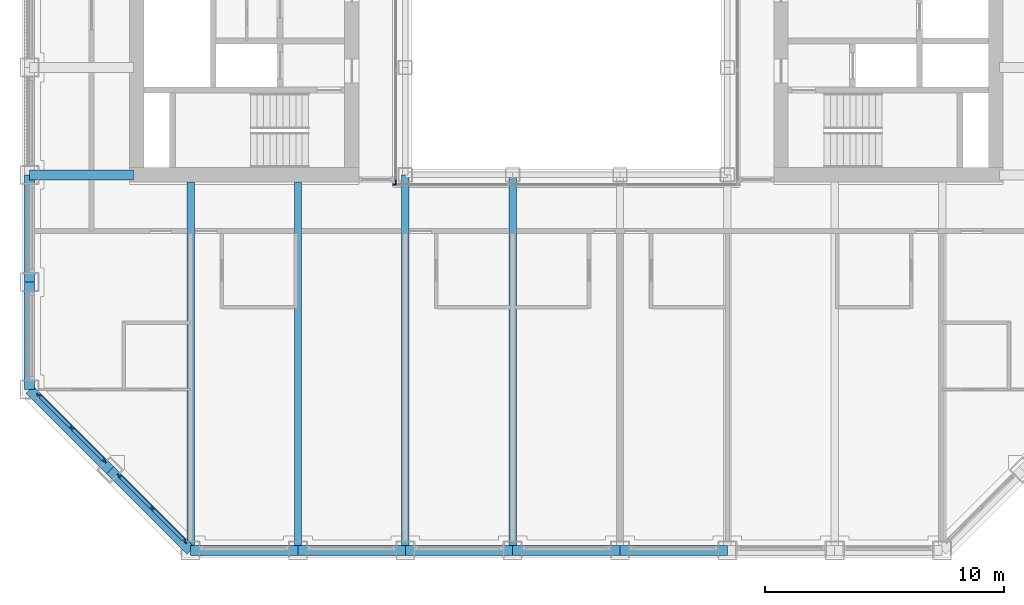
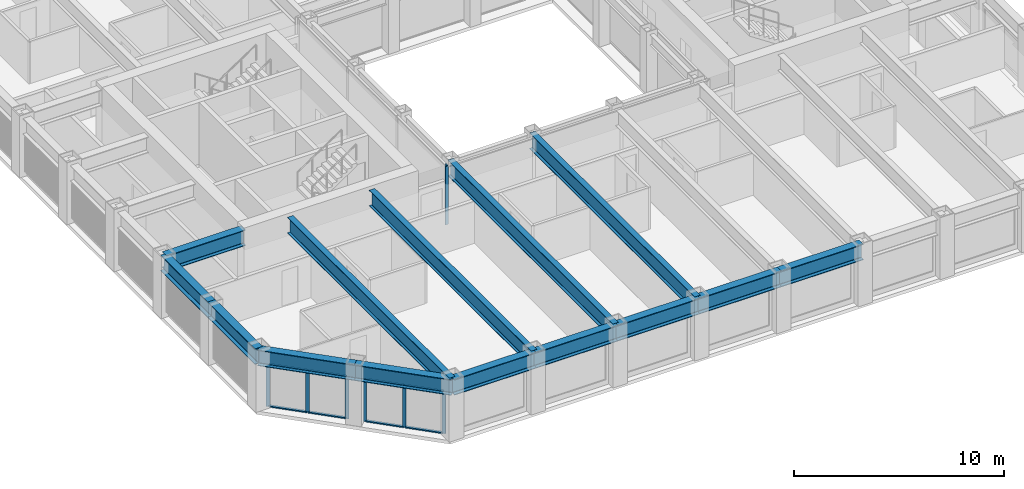
# One storey, part 2 of 17: 16 members, 14 beams, 4 elements without a shape of their own.
"""IFC4 building model written with IfcOpenShell, lengths in metres."""

from ifc_helpers import new_model, si_unit, direction, frame, origin, origin_2d, place, context, subcontext, project, spatial, rectangle, i_section, extrude, material, material_profile, profile_set, type_object, element, aggregate, save


model = new_model("IFC4")

# Units and contexts
model_context = context("Model", 3, precision=1e-05, world=origin(), true_north=direction((0.0, 1.0)))
body_context = subcontext(model_context, "Body", "Model", "MODEL_VIEW")
ifc_project = project(units=[si_unit("LENGTHUNIT", "METRE"), si_unit("AREAUNIT", "SQUARE_METRE"), si_unit("VOLUMEUNIT", "CUBIC_METRE"), si_unit("PLANEANGLEUNIT", "RADIAN"), si_unit("MASSUNIT", "GRAM", prefix="KILO")], contexts=[model_context])

# Site, building, storey
site_placement = place(None, origin())
site = spatial("IfcSite", under=ifc_project, at=site_placement, CompositionType="ELEMENT")
building_placement = place(site_placement, origin())
building = spatial("IfcBuilding", under=site, at=building_placement, Name="Msasa Ring Tower", CompositionType="ELEMENT")
storey_placement = place(building_placement, frame((0.0, 0.0, 158.0)))
storey = spatial("IfcBuildingStorey", under=building, at=storey_placement, Name="L41", CompositionType="ELEMENT", Elevation=158.0)

# Curtain wall, members
ifc_material_1 = material(Name="Aluminium curtain wall with clear glass", Category="aluminium")
curtain_wall_type_1 = type_object("IfcCurtainWallType", Name="CW-C CHAMFER CORNER CURTAIN WALL", PredefinedType="NOTDEFINED", material=ifc_material_1)
curtain_wall_1_placement = place(storey_placement, origin())
curtain_wall_1 = element("IfcCurtainWall", 1, at=curtain_wall_1_placement, inside=storey, type_object=curtain_wall_type_1, Name="Chamfer corner curtain wall SW L41", PredefinedType="NOTDEFINED")
ifc_material_2 = material(Name="Aluminium mullion", Category="aluminium")
ifc_material_profile_1 = material_profile(ifc_material_2, rectangle(XDim=0.06494140625, YDim=0.179931640625, at=origin_2d()), Name="AL 65x180")
ifc_profile_set_1 = profile_set([ifc_material_profile_1], Name="Aluminium mullion")
member_type_1 = type_object("IfcMemberType", Name="CW-C MULLION 65x180", PredefinedType="MULLION", material=ifc_profile_set_1)
member_1_placement = place(storey_placement, frame((-22.119873046875, -15.98876953125, 0.0), z_axis=(0.0, 0.0, 1.0), x_axis=(0.707106781187, 0.707106781187, 0.0)))
member_1 = element("IfcMember", 2, at=member_1_placement, type_object=member_type_1, Name="CW-C mullion 1", PredefinedType="MULLION", context=body_context, shape_type="SweptSolid", body=[
    extrude(rectangle(XDim=0.06494140625, YDim=0.179931640625, at=origin_2d()), origin(), (0.0, 0.0, 1.0), 2.47900390625),
])
member_2_placement = place(storey_placement, frame((-20.74169921875, -17.36669921875, 0.0), z_axis=(0.0, 0.0, 1.0), x_axis=(0.707106781187, 0.707106781187, 0.0)))
member_2 = element("IfcMember", 3, at=member_2_placement, type_object=member_type_1, Name="CW-C mullion 2", PredefinedType="MULLION", context=body_context, shape_type="SweptSolid", body=[
    extrude(rectangle(XDim=0.06494140625, YDim=0.179931640625, at=origin_2d()), origin(), (0.0, 0.0, 1.0), 2.47900390625),
])
member_3_placement = place(storey_placement, frame((-19.36376953125, -18.744873046875, 0.0), z_axis=(0.0, 0.0, 1.0), x_axis=(0.707106781187, 0.707106781187, 0.0)))
member_3 = element("IfcMember", 4, at=member_3_placement, type_object=member_type_1, Name="CW-C mullion 3", PredefinedType="MULLION", context=body_context, shape_type="SweptSolid", body=[
    extrude(rectangle(XDim=0.06494140625, YDim=0.179931640625, at=origin_2d()), origin(), (0.0, 0.0, 1.0), 2.47900390625),
])

curtain_wall_2_placement = place(storey_placement, origin())
curtain_wall_2 = element("IfcCurtainWall", 5, at=curtain_wall_2_placement, inside=storey, type_object=curtain_wall_type_1, Name="Chamfer corner curtain wall SW L41", PredefinedType="NOTDEFINED")
member_4_placement = place(storey_placement, frame((-18.744873046875, -19.36376953125, 0.0), z_axis=(0.0, 0.0, 1.0), x_axis=(0.707106781187, 0.707106781187, 0.0)))
member_4 = element("IfcMember", 6, at=member_4_placement, type_object=member_type_1, Name="CW-C mullion 1", PredefinedType="MULLION", context=body_context, shape_type="SweptSolid", body=[
    extrude(rectangle(XDim=0.06494140625, YDim=0.179931640625, at=origin_2d()), origin(), (0.0, 0.0, 1.0), 2.47900390625),
])
member_5_placement = place(storey_placement, frame((-17.36669921875, -20.74169921875, 0.0), z_axis=(0.0, 0.0, 1.0), x_axis=(0.707106781187, 0.707106781187, 0.0)))
member_5 = element("IfcMember", 7, at=member_5_placement, type_object=member_type_1, Name="CW-C mullion 2", PredefinedType="MULLION", context=body_context, shape_type="SweptSolid", body=[
    extrude(rectangle(XDim=0.06494140625, YDim=0.179931640625, at=origin_2d()), origin(), (0.0, 0.0, 1.0), 2.47900390625),
])
member_6_placement = place(storey_placement, frame((-15.98876953125, -22.119873046875, 0.0), z_axis=(0.0, 0.0, 1.0), x_axis=(0.707106781187, 0.707106781187, 0.0)))
member_6 = element("IfcMember", 8, at=member_6_placement, type_object=member_type_1, Name="CW-C mullion 3", PredefinedType="MULLION", context=body_context, shape_type="SweptSolid", body=[
    extrude(rectangle(XDim=0.06494140625, YDim=0.179931640625, at=origin_2d()), origin(), (0.0, 0.0, 1.0), 2.47900390625),
])

# Member
ifc_material_3 = material(Name="Aluminium transom", Category="aluminium")
ifc_material_profile_2 = material_profile(ifc_material_3, rectangle(XDim=0.139892578125, YDim=0.06494140625, at=origin_2d()), Name="AL 65x140")
ifc_profile_set_2 = profile_set([ifc_material_profile_2], Name="Aluminium transom")
member_type_2 = type_object("IfcMemberType", Name="CW-C TRANSOM 65x140", PredefinedType="USERDEFINED", material=ifc_profile_set_2)
member_7_placement = place(storey_placement, frame((-22.096923828125, -16.01171875, 0.032470703125), z_axis=(0.707106781187, -0.707106781187, 0.0), x_axis=(0.707106781187, 0.707106781187, 0.0)))
member_7 = element("IfcMember", 9, at=member_7_placement, type_object=member_type_2, Name="CW-C transom 1.1", ObjectType="TRANSOM", PredefinedType="USERDEFINED", context=body_context, shape_type="SweptSolid", body=[
    extrude(rectangle(XDim=0.139892578125, YDim=0.06494140625, at=origin_2d()), origin(), (0.0, 0.0, 1.0), 1.8837890625),
])

member_8_placement = place(storey_placement, frame((-22.096923828125, -16.01171875, 2.446533203125), z_axis=(0.707106781187, -0.707106781187, 0.0), x_axis=(0.707106781187, 0.707106781187, 0.0)))
member_8 = element("IfcMember", 10, at=member_8_placement, type_object=member_type_2, Name="CW-C transom 1.2", ObjectType="TRANSOM", PredefinedType="USERDEFINED", context=body_context, shape_type="SweptSolid", body=[
    extrude(rectangle(XDim=0.139892578125, YDim=0.06494140625, at=origin_2d()), origin(), (0.0, 0.0, 1.0), 1.8837890625),
])

member_9_placement = place(storey_placement, frame((-20.71875, -17.389892578125, 0.032470703125), z_axis=(0.707106781187, -0.707106781187, 0.0), x_axis=(0.707106781187, 0.707106781187, 0.0)))
member_9 = element("IfcMember", 11, at=member_9_placement, type_object=member_type_2, Name="CW-C transom 2.1", ObjectType="TRANSOM", PredefinedType="USERDEFINED", context=body_context, shape_type="SweptSolid", body=[
    extrude(rectangle(XDim=0.139892578125, YDim=0.06494140625, at=origin_2d()), origin(), (0.0, 0.0, 1.0), 1.8837890625),
])

member_10_placement = place(storey_placement, frame((-20.71875, -17.389892578125, 2.446533203125), z_axis=(0.707106781187, -0.707106781187, 0.0), x_axis=(0.707106781187, 0.707106781187, 0.0)))
member_10 = element("IfcMember", 12, at=member_10_placement, type_object=member_type_2, Name="CW-C transom 2.2", ObjectType="TRANSOM", PredefinedType="USERDEFINED", context=body_context, shape_type="SweptSolid", body=[
    extrude(rectangle(XDim=0.139892578125, YDim=0.06494140625, at=origin_2d()), origin(), (0.0, 0.0, 1.0), 1.8837890625),
])

aggregate(curtain_wall_1, [member_1, member_2, member_3, member_7, member_8, member_9, member_10])

member_11_placement = place(storey_placement, frame((-18.721923828125, -19.38671875, 0.032470703125), z_axis=(0.707106781187, -0.707106781187, 0.0), x_axis=(0.707106781187, 0.707106781187, 0.0)))
member_11 = element("IfcMember", 13, at=member_11_placement, type_object=member_type_2, Name="CW-C transom 1.1", ObjectType="TRANSOM", PredefinedType="USERDEFINED", context=body_context, shape_type="SweptSolid", body=[
    extrude(rectangle(XDim=0.139892578125, YDim=0.06494140625, at=origin_2d()), origin(), (0.0, 0.0, 1.0), 1.8837890625),
])

member_12_placement = place(storey_placement, frame((-18.721923828125, -19.38671875, 2.446533203125), z_axis=(0.707106781187, -0.707106781187, 0.0), x_axis=(0.707106781187, 0.707106781187, 0.0)))
member_12 = element("IfcMember", 14, at=member_12_placement, type_object=member_type_2, Name="CW-C transom 1.2", ObjectType="TRANSOM", PredefinedType="USERDEFINED", context=body_context, shape_type="SweptSolid", body=[
    extrude(rectangle(XDim=0.139892578125, YDim=0.06494140625, at=origin_2d()), origin(), (0.0, 0.0, 1.0), 1.8837890625),
])

member_13_placement = place(storey_placement, frame((-17.34375, -20.764892578125, 0.032470703125), z_axis=(0.707106781187, -0.707106781187, 0.0), x_axis=(0.707106781187, 0.707106781187, 0.0)))
member_13 = element("IfcMember", 15, at=member_13_placement, type_object=member_type_2, Name="CW-C transom 2.1", ObjectType="TRANSOM", PredefinedType="USERDEFINED", context=body_context, shape_type="SweptSolid", body=[
    extrude(rectangle(XDim=0.139892578125, YDim=0.06494140625, at=origin_2d()), origin(), (0.0, 0.0, 1.0), 1.8837890625),
])

member_14_placement = place(storey_placement, frame((-17.34375, -20.764892578125, 2.446533203125), z_axis=(0.707106781187, -0.707106781187, 0.0), x_axis=(0.707106781187, 0.707106781187, 0.0)))
member_14 = element("IfcMember", 16, at=member_14_placement, type_object=member_type_2, Name="CW-C transom 2.2", ObjectType="TRANSOM", PredefinedType="USERDEFINED", context=body_context, shape_type="SweptSolid", body=[
    extrude(rectangle(XDim=0.139892578125, YDim=0.06494140625, at=origin_2d()), origin(), (0.0, 0.0, 1.0), 1.8837890625),
])

aggregate(curtain_wall_2, [member_4, member_5, member_6, member_11, member_12, member_13, member_14])

# Curtain wall, member
ifc_material_4 = material(Name="Aluminium curtain wall with clear glass", Category="aluminium")
curtain_wall_type_2 = type_object("IfcCurtainWallType", Name="CW-W LIGHT WELL CURTAIN WALL", PredefinedType="NOTDEFINED", material=ifc_material_4)
curtain_wall_3_placement = place(storey_placement, origin())
curtain_wall_3 = element("IfcCurtainWall", 17, at=curtain_wall_3_placement, inside=storey, type_object=curtain_wall_type_2, Name="Light well curtain wall S L41", PredefinedType="NOTDEFINED")
ifc_material_5 = material(Name="Aluminium mullion", Category="aluminium")
ifc_material_profile_3 = material_profile(ifc_material_5, rectangle(XDim=0.06005859375, YDim=0.159912109375, at=origin_2d()), Name="AL 60x160")
ifc_profile_set_3 = profile_set([ifc_material_profile_3], Name="Aluminium mullion")
member_type_3 = type_object("IfcMemberType", Name="CW-W MULLION 60x160", PredefinedType="MULLION", material=ifc_profile_set_3)
member_15_placement = place(storey_placement, frame((-7.199951171875, -7.14990234375, 0.0), z_axis=(0.0, 0.0, 1.0), x_axis=(0.0, 1.0, 0.0)))
member_15 = element("IfcMember", 18, at=member_15_placement, type_object=member_type_3, Name="CW-W mullion 1", PredefinedType="MULLION", context=body_context, shape_type="SweptSolid", body=[
    extrude(rectangle(XDim=0.06005859375, YDim=0.159912109375, at=origin_2d()), origin(), (0.0, 0.0, 1.0), 3.39990234375),
])
aggregate(curtain_wall_3, [member_15])

curtain_wall_4_placement = place(storey_placement, origin())
curtain_wall_4 = element("IfcCurtainWall", 19, at=curtain_wall_4_placement, inside=storey, type_object=curtain_wall_type_2, Name="Light well curtain wall W L41", PredefinedType="NOTDEFINED")
member_16_placement = place(storey_placement, frame((-7.14990234375, -7.0400390625, 0.0), z_axis=(0.0, 0.0, 1.0), x_axis=(-1.0, 0.0, 0.0)))
member_16 = element("IfcMember", 20, at=member_16_placement, type_object=member_type_3, Name="CW-W mullion 1", PredefinedType="MULLION", context=body_context, shape_type="SweptSolid", body=[
    extrude(rectangle(XDim=0.06005859375, YDim=0.159912109375, at=origin_2d()), origin(), (0.0, 0.0, 1.0), 3.39990234375),
])
aggregate(curtain_wall_4, [member_16])

# Beams
ifc_material_6 = material(Name="Steel S355", Category="steel")
ifc_material_profile_4 = material_profile(ifc_material_6, i_section(OverallWidth=0.3076171875, OverallDepth=0.926513671875, WebThickness=0.01953125, FlangeThickness=0.031982421875, FilletRadius=0.01904296875, at=origin_2d()), Name="UB 914x305x289")
ifc_profile_set_4 = profile_set([ifc_material_profile_4], Name="Steel S355")
beam_type_1 = type_object("IfcBeamType", Name="FB3 UB 914x305x289", PredefinedType="BEAM", material=ifc_profile_set_4)
for number, where, z_axis, x_axis, name in (
    (21, (-15.75, -22.5, 2.936767578125), (0.0, 1.0, 0.0), (-1.0, 0.0, 0.0), "Floor beam S-15.75 under L42"),
    (22, (-11.25, -22.5, 2.936767578125), (0.0, 1.0, 0.0), (-1.0, 0.0, 0.0), "Floor beam S-11.25 under L42"),
):
    element("IfcBeam", number, at=place(storey_placement, frame(where, z_axis=z_axis, x_axis=x_axis)), inside=storey, type_object=beam_type_1, Name=name, PredefinedType="BEAM", context=body_context, shape_type="SweptSolid", body=[
        extrude(i_section(OverallWidth=0.3076171875, OverallDepth=0.926513671875, WebThickness=0.01953125, FlangeThickness=0.031982421875, FilletRadius=0.01904296875, at=origin_2d()), origin(), (0.0, 0.0, 1.0), 15.449951171875),
    ])
for number, where, z_axis, x_axis, name in (
    (23, (-6.75, -22.5, 2.936767578125), (0.0, 1.0, 0.0), (-1.0, 0.0, 0.0), "Floor beam S-6.75 under L42"),
    (24, (-2.25, -22.5, 2.936767578125), (0.0, 1.0, 0.0), (-1.0, 0.0, 0.0), "Floor beam S-2.25 under L42"),
):
    element("IfcBeam", number, at=place(storey_placement, frame(where, z_axis=z_axis, x_axis=x_axis)), inside=storey, type_object=beam_type_1, Name=name, PredefinedType="BEAM", context=body_context, shape_type="SweptSolid", body=[
        extrude(i_section(OverallWidth=0.3076171875, OverallDepth=0.926513671875, WebThickness=0.01953125, FlangeThickness=0.031982421875, FilletRadius=0.01904296875, at=origin_2d()), origin(), (0.0, 0.0, 1.0), 15.75),
    ])
ifc_material_7 = material(Name="Steel S355", Category="steel")
ifc_material_profile_5 = material_profile(ifc_material_7, i_section(OverallWidth=0.42041015625, OverallDepth=0.9208984375, WebThickness=0.021484375, FlangeThickness=0.03662109375, FilletRadius=0.024169921875, at=origin_2d()), Name="UB 914x419x388")
ifc_profile_set_5 = profile_set([ifc_material_profile_5], Name="Steel S355")
beam_type_2 = type_object("IfcBeamType", Name="GB1 UB 914x419x388", PredefinedType="BEAM", material=ifc_profile_set_5)
beam_placement = place(storey_placement, frame((-18.14990234375, -6.75, 2.939453125), z_axis=(-1.0, 0.0, 0.0), x_axis=(0.0, -1.0, 0.0)))
element("IfcBeam", 25, at=beam_placement, inside=storey, type_object=beam_type_2, Name="Girder W -6.75 under L42", PredefinedType="BEAM", context=body_context, shape_type="SweptSolid", body=[
    extrude(i_section(OverallWidth=0.42041015625, OverallDepth=0.9208984375, WebThickness=0.021484375, FlangeThickness=0.03662109375, FilletRadius=0.024169921875, at=origin_2d()), origin(), (0.0, 0.0, 1.0), 4.35009765625),
])
ifc_material_8 = material(Name="Steel S355", Category="steel")
ifc_material_profile_6 = material_profile(ifc_material_8, i_section(OverallWidth=0.42041015625, OverallDepth=0.9208984375, WebThickness=0.021484375, FlangeThickness=0.03662109375, FilletRadius=0.024169921875, at=origin_2d()), Name="UB 914x419x388")
ifc_profile_set_6 = profile_set([ifc_material_profile_6], Name="Steel S355")
beam_type_3 = type_object("IfcBeamType", Name="SB1 UB 914x419x388", PredefinedType="SPANDREL", material=ifc_profile_set_6)
for number, where, z_axis, x_axis, name in (
    (26, (-22.5, -6.75, 2.939453125), (0.0, -1.0, 0.0), (1.0, 0.0, 0.0), "Spandrel W-6.75 to W-11.25 under L42"),
    (27, (-22.5, -11.25, 2.939453125), (0.0, -1.0, 0.0), (1.0, 0.0, 0.0), "Spandrel W-11.25 to W-15.75 under L42"),
):
    element("IfcBeam", number, at=place(storey_placement, frame(where, z_axis=z_axis, x_axis=x_axis)), inside=storey, type_object=beam_type_3, Name=name, PredefinedType="SPANDREL", context=body_context, shape_type="SweptSolid", body=[
        extrude(i_section(OverallWidth=0.42041015625, OverallDepth=0.9208984375, WebThickness=0.021484375, FlangeThickness=0.03662109375, FilletRadius=0.024169921875, at=origin_2d()), origin(), (0.0, 0.0, 1.0), 4.5),
    ])
for number, where, z_axis, x_axis, name in (
    (28, (-22.5, -15.75, 2.939453125), (0.707106781187, -0.707106781187, 0.0), (0.707106781187, 0.707106781187, 0.0), "Spandrel W-15.75 to SW under L42"),
    (29, (-19.125, -19.125, 2.939453125), (0.707106781187, -0.707106781187, 0.0), (0.707106781187, 0.707106781187, 0.0), "Spandrel SW to S-15.75 under L42"),
):
    element("IfcBeam", number, at=place(storey_placement, frame(where, z_axis=z_axis, x_axis=x_axis)), inside=storey, type_object=beam_type_3, Name=name, PredefinedType="SPANDREL", context=body_context, shape_type="SweptSolid", body=[
        extrude(i_section(OverallWidth=0.42041015625, OverallDepth=0.9208984375, WebThickness=0.021484375, FlangeThickness=0.03662109375, FilletRadius=0.024169921875, at=origin_2d()), origin(), (0.0, 0.0, 1.0), 4.77294921875),
    ])
for number, where, z_axis, x_axis, name in (
    (30, (-15.75, -22.5, 2.939453125), (1.0, 0.0, 0.0), (0.0, 1.0, 0.0), "Spandrel S-15.75 to S-11.25 under L42"),
    (31, (-11.25, -22.5, 2.939453125), (1.0, 0.0, 0.0), (0.0, 1.0, 0.0), "Spandrel S-11.25 to S-6.75 under L42"),
    (32, (-6.75, -22.5, 2.939453125), (1.0, 0.0, 0.0), (0.0, 1.0, 0.0), "Spandrel S-6.75 to S-2.25 under L42"),
    (33, (-2.25, -22.5, 2.939453125), (1.0, 0.0, 0.0), (0.0, 1.0, 0.0), "Spandrel S-2.25 to S+2.25 under L42"),
    (34, (2.25, -22.5, 2.939453125), (1.0, 0.0, 0.0), (0.0, 1.0, 0.0), "Spandrel S+2.25 to S+6.75 under L42"),
):
    element("IfcBeam", number, at=place(storey_placement, frame(where, z_axis=z_axis, x_axis=x_axis)), inside=storey, type_object=beam_type_3, Name=name, PredefinedType="SPANDREL", context=body_context, shape_type="SweptSolid", body=[
        extrude(i_section(OverallWidth=0.42041015625, OverallDepth=0.9208984375, WebThickness=0.021484375, FlangeThickness=0.03662109375, FilletRadius=0.024169921875, at=origin_2d()), origin(), (0.0, 0.0, 1.0), 4.5),
    ])

save(model, "model.ifc")
